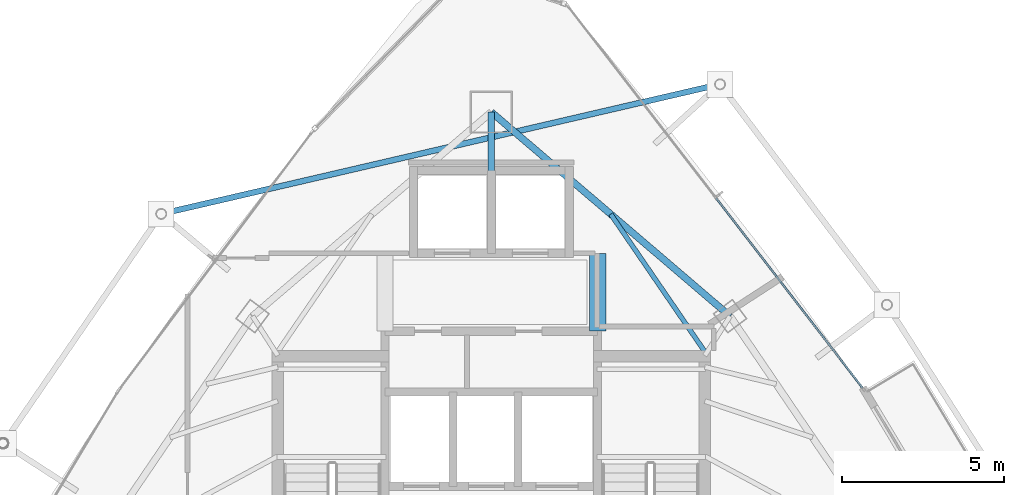
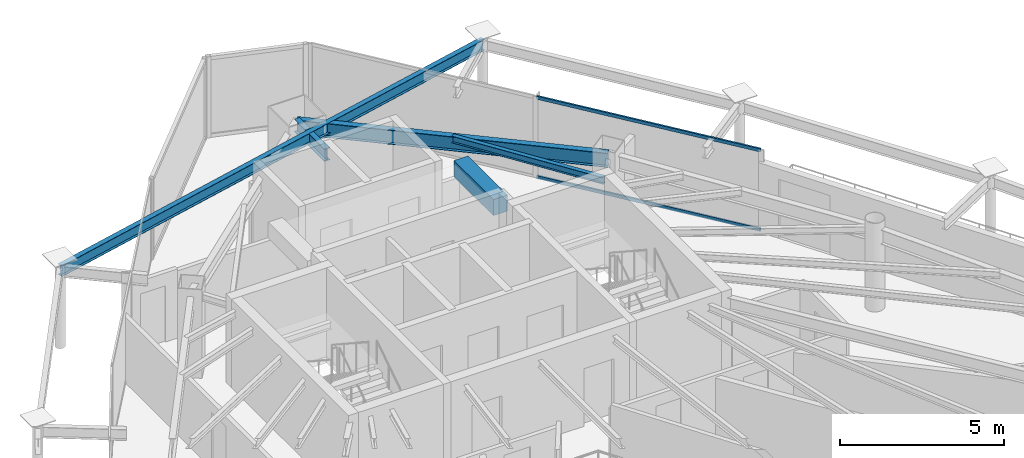
# One storey, part 22 of 30: 5 beams, 2 members, 1 element without a shape of its own.
"""IFC4 building model written with IfcOpenShell, lengths in metres."""

from ifc_helpers import new_model, si_unit, direction, frame, origin, origin_2d, place, context, subcontext, project, spatial, rectangle, hollow_rectangle, i_section, extrude, material, layer, layer_set, material_profile, profile_set, type_object, element, aggregate, save


model = new_model("IFC4")

# Units and contexts
model_context = context("Model", 3, precision=1e-05, world=origin(), true_north=direction((0.0, 1.0)))
body_context = subcontext(model_context, "Body", "Model", "MODEL_VIEW")
ifc_project = project(units=[si_unit("LENGTHUNIT", "METRE"), si_unit("AREAUNIT", "SQUARE_METRE"), si_unit("VOLUMEUNIT", "CUBIC_METRE"), si_unit("PLANEANGLEUNIT", "RADIAN"), si_unit("MASSUNIT", "GRAM", prefix="KILO")], contexts=[model_context])

# Site, building, storey
site_placement = place(None, origin())
site = spatial("IfcSite", under=ifc_project, at=site_placement, CompositionType="ELEMENT")
building_placement = place(site_placement, origin())
building = spatial("IfcBuilding", under=site, at=building_placement, Name="Orvanel Arch Residences", CompositionType="ELEMENT")
storey_placement = place(building_placement, frame((0.0, 0.0, 232.699951171875)))
storey = spatial("IfcBuildingStorey", under=building, at=storey_placement, Name="L66", CompositionType="ELEMENT", Elevation=232.699951171875)

# Beams
ifc_material_1 = material(Name="Structural steel AS/NZS 3679.1 Grade 300 (300 MPa)", Category="steel")
ifc_material_profile_1 = material_profile(ifc_material_1, i_section(OverallWidth=0.19091796875, OverallDepth=0.4599609375, WebThickness=0.010009765625, FlangeThickness=0.01611328125, at=origin_2d()), Name="460UB82.1")
ifc_profile_set_1 = profile_set([ifc_material_profile_1], Name="Structural steel AS/NZS 3679.1 Grade 300 (300 MPa)")
beam_type_1 = type_object("IfcBeamType", Name="BG-460UB", PredefinedType="BEAM", material=ifc_profile_set_1)
beam_1_placement = place(storey_placement, frame((33.0, 39.550048828125, 2.7900390625), z_axis=(0.0, 1.0, 0.0), x_axis=(-1.0, 0.0, 0.0)))
element("IfcBeam", 1, at=beam_1_placement, inside=storey, type_object=beam_type_1, Name="L66 North Radial Girder", PredefinedType="BEAM", context=body_context, shape_type="SweptSolid", body=[
    extrude(i_section(OverallWidth=0.19091796875, OverallDepth=0.4599609375, WebThickness=0.010009765625, FlangeThickness=0.01611328125, at=origin_2d()), origin(), (0.0, 0.0, 1.0), 1.847900390625),
])
ifc_material_profile_2 = material_profile(ifc_material_1, i_section(OverallWidth=0.14599609375, OverallDepth=0.251953125, WebThickness=0.006103515625, FlangeThickness=0.008544921875, at=origin_2d()), Name="250UB31.4")
ifc_profile_set_2 = profile_set([ifc_material_profile_2], Name="Structural steel AS/NZS 3679.1 Grade 300 (300 MPa)")
beam_type_2 = type_object("IfcBeamType", Name="BJ-250UB", PredefinedType="JOIST", material=ifc_profile_set_2)
beam_2_placement = place(storey_placement, frame((39.574951171875, 34.02001953125, 2.89404296875), z_axis=(-0.564868085352, 0.825181220188, 0.0), x_axis=(-0.825181220188, -0.564868085352, 0.0)))
element("IfcBeam", 2, at=beam_2_placement, inside=storey, type_object=beam_type_2, Name="L66 NNE2 Wing Floor Joist", PredefinedType="JOIST", context=body_context, shape_type="SweptSolid", body=[
    extrude(i_section(OverallWidth=0.14599609375, OverallDepth=0.251953125, WebThickness=0.006103515625, FlangeThickness=0.008544921875, at=origin_2d()), origin(), (0.0, 0.0, 1.0), 5.132080078125),
])
ifc_material_2 = material(Name="Concrete S65 (65 MPa)", Category="concrete")
ifc_material_profile_3 = material_profile(ifc_material_2, rectangle(XDim=0.5, YDim=0.60009765625, at=origin_2d()), Name="RC500x600")
ifc_profile_set_3 = profile_set([ifc_material_profile_3], Name="Concrete S65 (65 MPa)")
beam_type_3 = type_object("IfcBeamType", Name="CB-500x600", PredefinedType="LINTEL", material=ifc_profile_set_3)
beam_3_placement = place(storey_placement, frame((36.27490234375, 34.64990234375, 2.719970703125), z_axis=(0.0, 1.0, 0.0), x_axis=(-1.0, 0.0, 0.0)))
element("IfcBeam", 3, at=beam_3_placement, inside=storey, type_object=beam_type_3, Name="L66 East Core Lobby Coupling Lintel Beam", PredefinedType="LINTEL", context=body_context, shape_type="SweptSolid", body=[
    extrude(rectangle(XDim=0.5, YDim=0.60009765625, at=origin_2d()), origin(), (0.0, 0.0, 1.0), 2.400146484375),
])
ifc_material_profile_4 = material_profile(ifc_material_1, i_section(OverallWidth=0.177978515625, OverallDepth=0.406005859375, WebThickness=0.0078125, FlangeThickness=0.0126953125, at=origin_2d()), Name="410UB59.7")
ifc_profile_set_4 = profile_set([ifc_material_profile_4], Name="Structural steel AS/NZS 3679.1 Grade 300 (300 MPa)")
beam_type_4 = type_object("IfcBeamType", Name="OB-410UB-EXT", PredefinedType="SPANDREL", material=ifc_profile_set_4)
beam_4_placement = place(storey_placement, frame((40.0419921875, 42.25390625, 2.817138671875), z_axis=(-0.974138287107, -0.225952644579, 0.0), x_axis=(0.225952644579, -0.974138287107, 0.0)))
element("IfcBeam", 4, at=beam_4_placement, inside=storey, type_object=beam_type_4, Name="L66 Outer Perimeter Floor Ring Beam 12", PredefinedType="SPANDREL", context=body_context, shape_type="SweptSolid", body=[
    extrude(i_section(OverallWidth=0.177978515625, OverallDepth=0.406005859375, WebThickness=0.0078125, FlangeThickness=0.0126953125, at=origin_2d()), origin(), (0.0, 0.0, 1.0), 17.662841796875),
])
ifc_material_profile_5 = material_profile(ifc_material_1, i_section(OverallWidth=0.208984375, OverallDepth=0.532958984375, WebThickness=0.01025390625, FlangeThickness=0.015625, at=origin_2d()), Name="530UB92.4")
ifc_profile_set_5 = profile_set([ifc_material_profile_5], Name="Structural steel AS/NZS 3679.1 Grade 300 (300 MPa)")
beam_type_5 = type_object("IfcBeamType", Name="SP-530UB", PredefinedType="SPANDREL", material=ifc_profile_set_5)
beam_5_placement = place(storey_placement, frame((40.35205078125, 35.113037109375, 2.7529296875), z_axis=(-0.760116518398, 0.649786794617, 0.0), x_axis=(-0.649786794617, -0.760116518398, 0.0)))
element("IfcBeam", 5, at=beam_5_placement, inside=storey, type_object=beam_type_5, Name="L66 Perimeter Spandrel Beam 09", PredefinedType="SPANDREL", context=body_context, shape_type="SweptSolid", body=[
    extrude(i_section(OverallWidth=0.208984375, OverallDepth=0.532958984375, WebThickness=0.01025390625, FlangeThickness=0.015625, at=origin_2d()), origin(), (0.0, 0.0, 1.0), 9.67236328125),
])

# Curtain wall, members
ifc_material_3 = material(Name="Bronze-anodised aluminium AA6063-T6", Category="aluminium")
ifc_layer = layer(ifc_material_3, 0.175048828125)
ifc_layer_set = layer_set([ifc_layer], Name="Bronze-anodised aluminium AA6063-T6")
curtain_wall_type = type_object("IfcCurtainWallType", Name="CW4-HI-SYS", PredefinedType="NOTDEFINED", material=ifc_layer_set)
curtain_wall_placement = place(storey_placement, origin())
curtain_wall = element("IfcCurtainWall", 6, at=curtain_wall_placement, inside=storey, type_object=curtain_wall_type, Name="L66 CW4-HI-SYS Unitised Curtain Wall", PredefinedType="NOTDEFINED")
ifc_material_profile_6 = material_profile(ifc_material_3, hollow_rectangle(XDim=0.06005859375, YDim=0.1201171875, WallThickness=0.00341796875, at=origin_2d()), Name="ALU120x60x3.5")
ifc_profile_set_6 = profile_set([ifc_material_profile_6], Name="Bronze-anodised aluminium AA6063-T6")
member_type = type_object("IfcMemberType", Name="TRN-120x60", PredefinedType="USERDEFINED", material=ifc_profile_set_6)
member_1_placement = place(storey_placement, frame((44.434326171875, 32.8974609375, 0.030029296875), z_axis=(-0.610718196631, 0.791848018438, 0.0), x_axis=(-0.791848018438, -0.610718196631, 0.0)))
member_1 = element("IfcMember", 7, at=member_1_placement, type_object=member_type, Name="CW-S4 transom 1.1", ObjectType="TRANSOM", PredefinedType="USERDEFINED", context=body_context, shape_type="SweptSolid", body=[
    extrude(hollow_rectangle(XDim=0.06005859375, YDim=0.1201171875, WallThickness=0.00341796875, at=origin_2d()), origin(), (0.0, 0.0, 1.0), 7.386474609375),
])
member_2_placement = place(storey_placement, frame((44.434326171875, 32.8974609375, 2.989990234375), z_axis=(-0.610718196631, 0.791848018438, 0.0), x_axis=(-0.791848018438, -0.610718196631, 0.0)))
member_2 = element("IfcMember", 8, at=member_2_placement, type_object=member_type, Name="CW-S4 transom 1.2", ObjectType="TRANSOM", PredefinedType="USERDEFINED", context=body_context, shape_type="SweptSolid", body=[
    extrude(hollow_rectangle(XDim=0.06005859375, YDim=0.1201171875, WallThickness=0.00341796875, at=origin_2d()), origin(), (0.0, 0.0, 1.0), 7.386474609375),
])
aggregate(curtain_wall, [member_1, member_2])

save(model, "model.ifc")
